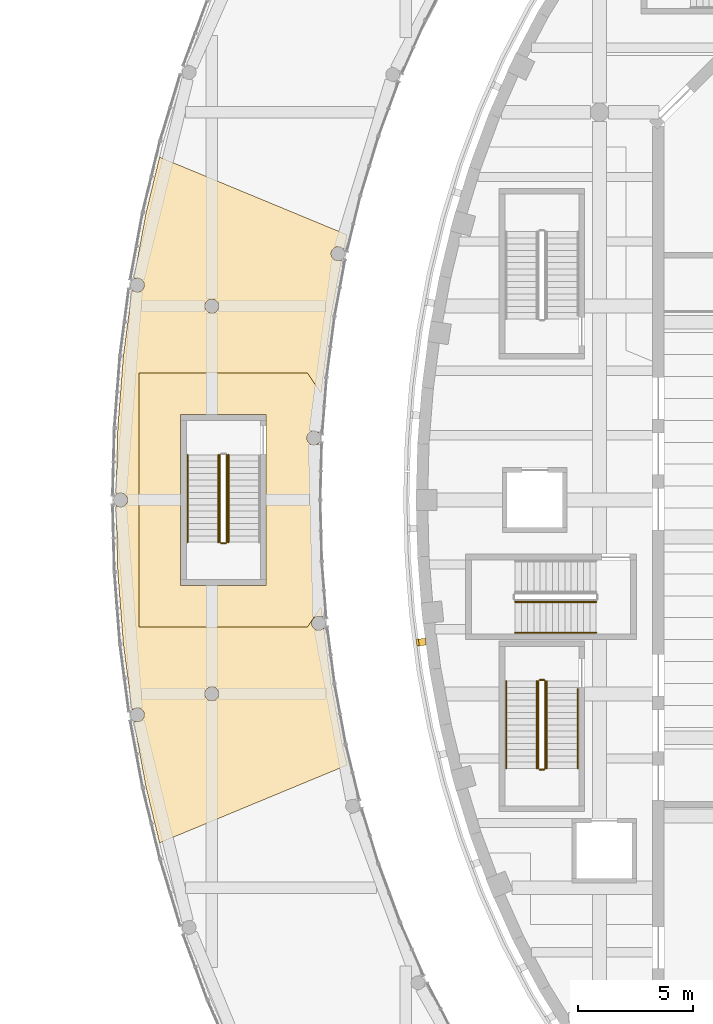
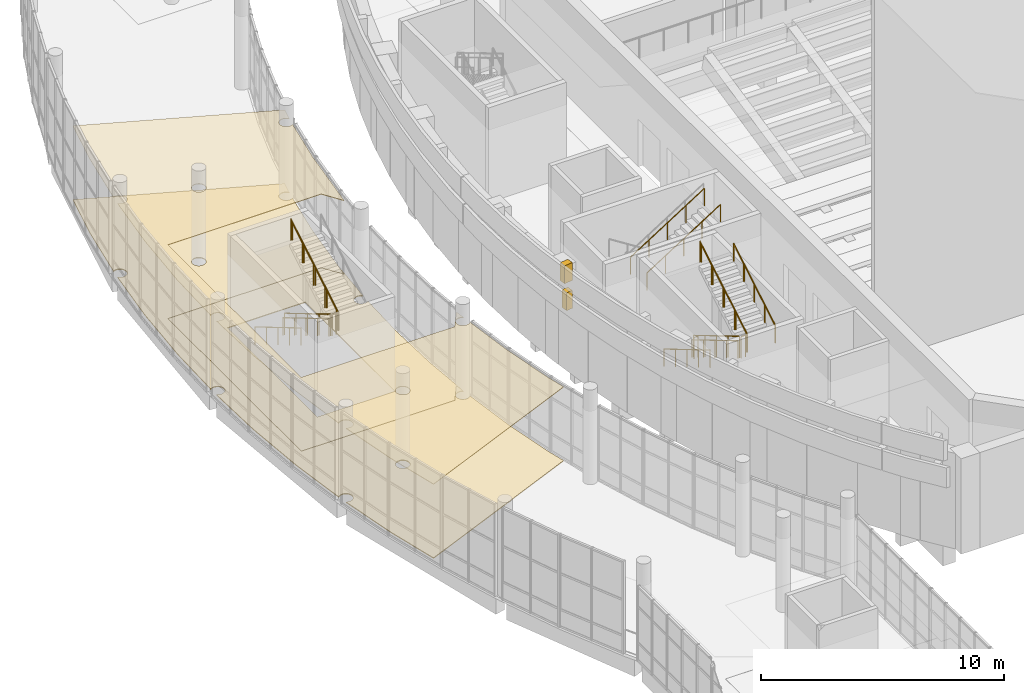
# One storey, part 99 of 119: 16 railings, 5 coverings.
"""IFC4 building model written with IfcOpenShell, lengths in metres."""

from ifc_helpers import new_model, si_unit, direction, frame, origin, origin_2d, place, context, subcontext, project, spatial, polyline, rectangle, circle, outline, extrude, material, layer, layer_set, type_object, element, save


model = new_model("IFC4")

# Units and contexts
model_context = context("Model", 3, precision=1e-05, world=origin(), true_north=direction((0.0, 1.0)))
body_context = subcontext(model_context, "Body", "Model", "MODEL_VIEW")
ifc_project = project(units=[si_unit("LENGTHUNIT", "METRE"), si_unit("AREAUNIT", "SQUARE_METRE"), si_unit("VOLUMEUNIT", "CUBIC_METRE"), si_unit("PLANEANGLEUNIT", "RADIAN"), si_unit("MASSUNIT", "GRAM", prefix="KILO")], contexts=[model_context])

# Site, building, storey
site_placement = place(None, origin())
site = spatial("IfcSite", under=ifc_project, at=site_placement, CompositionType="ELEMENT")
building_placement = place(site_placement, origin())
building = spatial("IfcBuilding", under=site, at=building_placement, Name="Larchfold Concert Hall", CompositionType="ELEMENT")
storey_placement = place(building_placement, frame((0.0, 0.0, 4.800048828125)))
storey = spatial("IfcBuildingStorey", under=building, at=storey_placement, Name="L01", CompositionType="ELEMENT", Elevation=4.800048828125)

# Coverings
ifc_material_1 = material(Name="Plasterboard ceiling lining")
ifc_layer_1 = layer(ifc_material_1, 0.030029296875)
ifc_layer_set_1 = layer_set([ifc_layer_1], Name="Plasterboard ceiling lining")
covering_type_1 = type_object("IfcCoveringType", Name="Ceiling suspended plasterboard 30", PredefinedType="CEILING", material=ifc_layer_set_1)
covering_1_placement = place(storey_placement, frame((0.0, 0.0, 3.719970703125)))
element("IfcCovering", 1, at=covering_1_placement, inside=storey, type_object=covering_type_1, Name="Ceiling Winter Garden Foyer West", PredefinedType="CEILING", context=body_context, shape_type="SweptSolid", body=[
    extrude(outline(polyline([(5.168212890625, 78.366455078125), (5.54541015625, 75.484619140625), (5.59033203125, 75.528076171875), (5.623046875, 75.5498046875), (5.6953125, 75.579833984375), (5.77294921875, 75.590087890625), (5.8505859375, 75.579833984375), (5.9228515625, 75.5498046875), (5.985107421875, 75.502197265625), (6.03271484375, 75.43994140625), (6.050048828125, 75.40478515625), (6.0703125, 75.3291015625), (6.072998046875, 75.2900390625), (6.062744140625, 75.21240234375), (6.03271484375, 75.14013671875), (5.985107421875, 75.077880859375), (5.9228515625, 75.0302734375), (5.8505859375, 75.000244140625), (5.77294921875, 74.989990234375), (5.6953125, 75.000244140625), (5.616455078125, 75.03466796875), (6.1494140625, 72.16064453125), (6.736572265625, 69.742919921875), (14.870849609375, 73.1142578125), (14.66015625, 73.9814453125), (14.17138671875, 76.616455078125), (13.85205078125, 79.06201171875), (13.8076171875, 79.01904296875), (13.77490234375, 78.997314453125), (13.70263671875, 78.96728515625), (13.625, 78.95703125), (13.54736328125, 78.96728515625), (13.47509765625, 78.997314453125), (13.4423828125, 79.01904296875), (13.386962890625, 79.074462890625), (13.347900390625, 79.142333984375), (13.32763671875, 79.218017578125), (13.324951171875, 79.257080078125), (13.335205078125, 79.334716796875), (13.365234375, 79.406982421875), (13.412841796875, 79.46923828125), (13.47509765625, 79.516845703125), (13.54736328125, 79.546875), (13.625, 79.55712890625), (13.70263671875, 79.546875), (13.73974609375, 79.5341796875), (13.79443359375, 79.50390625), (13.732177734375, 79.980712890625), (13.14111328125, 79.099853515625), (5.8505859375, 79.10595703125), (5.8505859375, 90.093994140625), (13.14111328125, 90.10009765625), (13.732177734375, 89.219482421875), (14.17138671875, 92.583740234375), (14.6220703125, 95.013671875), (14.544677734375, 94.980224609375), (14.467041015625, 94.969970703125), (14.389404296875, 94.980224609375), (14.317138671875, 95.01025390625), (14.2548828125, 95.057861328125), (14.207275390625, 95.1201171875), (14.17724609375, 95.1923828125), (14.1669921875, 95.27001953125), (14.169677734375, 95.30908203125), (14.18994140625, 95.384765625), (14.22900390625, 95.45263671875), (14.284423828125, 95.508056640625), (14.317138671875, 95.52978515625), (14.389404296875, 95.559814453125), (14.427978515625, 95.5673828125), (14.506103515625, 95.5673828125), (14.581787109375, 95.547119140625), (14.649658203125, 95.508056640625), (14.7138671875, 95.439453125), (14.870849609375, 96.0859375), (6.736083984375, 99.455322265625), (6.1494140625, 97.03955078125), (5.616455078125, 94.16650390625), (5.6953125, 94.20068359375), (5.77294921875, 94.2109375), (5.8505859375, 94.20068359375), (5.9228515625, 94.170654296875), (5.95556640625, 94.14892578125), (6.010986328125, 94.093505859375), (6.050048828125, 94.025634765625), (6.062744140625, 93.988525390625), (6.072998046875, 93.910888671875), (6.062744140625, 93.833251953125), (6.03271484375, 93.760986328125), (5.985107421875, 93.69873046875), (5.9228515625, 93.651123046875), (5.8505859375, 93.62109375), (5.77294921875, 93.61083984375), (5.6953125, 93.62109375), (5.623046875, 93.651123046875), (5.59033203125, 93.6728515625), (5.54541015625, 93.71630859375), (5.168212890625, 90.833740234375), (4.92626953125, 87.71826171875), (4.8515625, 84.827880859375), (4.93115234375, 84.877197265625), (5.0068359375, 84.8974609375), (5.0849609375, 84.8974609375), (5.16064453125, 84.877197265625), (5.19580078125, 84.85986328125), (5.258056640625, 84.812255859375), (5.3056640625, 84.75), (5.335693359375, 84.677734375), (5.345947265625, 84.60009765625), (5.335693359375, 84.5224609375), (5.3056640625, 84.4501953125), (5.258056640625, 84.387939453125), (5.228515625, 84.362060546875), (5.16064453125, 84.322998046875), (5.0849609375, 84.302734375), (5.0068359375, 84.302734375), (4.93115234375, 84.322998046875), (4.8515625, 84.372314453125), (4.92626953125, 81.48193359375), (5.168212890625, 78.366455078125)]), holes=[polyline([(8.8173828125, 92.761962890625), (8.761962890625, 92.8173828125), (8.740234375, 92.85009765625), (8.710205078125, 92.92236328125), (8.70263671875, 92.9609375), (8.699951171875, 93.0), (8.710205078125, 93.07763671875), (8.740234375, 93.14990234375), (8.761962890625, 93.1826171875), (8.8173828125, 93.238037109375), (8.85009765625, 93.259765625), (8.92236328125, 93.289794921875), (8.9609375, 93.29736328125), (9.0390625, 93.29736328125), (9.07763671875, 93.289794921875), (9.14990234375, 93.259765625), (9.1826171875, 93.238037109375), (9.238037109375, 93.1826171875), (9.259765625, 93.14990234375), (9.289794921875, 93.07763671875), (9.29736328125, 93.0390625), (9.300048828125, 93.0), (9.289794921875, 92.92236328125), (9.259765625, 92.85009765625), (9.238037109375, 92.8173828125), (9.1826171875, 92.761962890625), (9.14990234375, 92.740234375), (9.07763671875, 92.710205078125), (9.0390625, 92.70263671875), (8.9609375, 92.70263671875), (8.92236328125, 92.710205078125), (8.85009765625, 92.740234375), (8.8173828125, 92.761962890625)]), polyline([(8.85009765625, 75.940185546875), (8.8173828125, 75.9619140625), (8.761962890625, 76.017333984375), (8.740234375, 76.050048828125), (8.710205078125, 76.122314453125), (8.699951171875, 76.199951171875), (8.70263671875, 76.239013671875), (8.710205078125, 76.277587890625), (8.740234375, 76.349853515625), (8.761962890625, 76.382568359375), (8.8173828125, 76.43798828125), (8.85009765625, 76.459716796875), (8.92236328125, 76.48974609375), (8.9609375, 76.497314453125), (9.0390625, 76.497314453125), (9.07763671875, 76.48974609375), (9.14990234375, 76.459716796875), (9.1826171875, 76.43798828125), (9.238037109375, 76.382568359375), (9.259765625, 76.349853515625), (9.289794921875, 76.277587890625), (9.300048828125, 76.199951171875), (9.29736328125, 76.160888671875), (9.289794921875, 76.122314453125), (9.259765625, 76.050048828125), (9.238037109375, 76.017333984375), (9.1826171875, 75.9619140625), (9.14990234375, 75.940185546875), (9.07763671875, 75.91015625), (9.0390625, 75.902587890625), (8.9609375, 75.902587890625), (8.92236328125, 75.91015625), (8.85009765625, 75.940185546875)])]), origin(), (0.0, 0.0, 1.0), 0.030029296875),
])
ifc_material_2 = material(Name="Polished terrazzo")
ifc_layer_2 = layer(ifc_material_2, 0.0400390625)
ifc_layer_set_2 = layer_set([ifc_layer_2], Name="Polished terrazzo")
covering_type_2 = type_object("IfcCoveringType", Name="Floor finish terrazzo 40", PredefinedType="FLOORING", material=ifc_layer_set_2)
covering_2_placement = place(storey_placement, origin())
element("IfcCovering", 2, at=covering_2_placement, inside=storey, type_object=covering_type_2, Name="Floor finish Winter Garden Foyer West", PredefinedType="FLOORING", context=body_context, shape_type="SweptSolid", body=[
    extrude(outline(polyline([(5.168212890625, 78.366455078125), (5.54541015625, 75.484619140625), (5.59033203125, 75.528076171875), (5.623046875, 75.5498046875), (5.6953125, 75.579833984375), (5.77294921875, 75.590087890625), (5.8505859375, 75.579833984375), (5.9228515625, 75.5498046875), (5.985107421875, 75.502197265625), (6.03271484375, 75.43994140625), (6.050048828125, 75.40478515625), (6.0703125, 75.3291015625), (6.072998046875, 75.2900390625), (6.062744140625, 75.21240234375), (6.03271484375, 75.14013671875), (5.985107421875, 75.077880859375), (5.9228515625, 75.0302734375), (5.8505859375, 75.000244140625), (5.77294921875, 74.989990234375), (5.6953125, 75.000244140625), (5.616455078125, 75.03466796875), (6.1494140625, 72.16064453125), (6.736572265625, 69.742919921875), (14.870849609375, 73.1142578125), (14.66015625, 73.9814453125), (14.17138671875, 76.616455078125), (13.85205078125, 79.06201171875), (13.8076171875, 79.01904296875), (13.77490234375, 78.997314453125), (13.70263671875, 78.96728515625), (13.625, 78.95703125), (13.54736328125, 78.96728515625), (13.47509765625, 78.997314453125), (13.4423828125, 79.01904296875), (13.386962890625, 79.074462890625), (13.347900390625, 79.142333984375), (13.32763671875, 79.218017578125), (13.324951171875, 79.257080078125), (13.335205078125, 79.334716796875), (13.365234375, 79.406982421875), (13.412841796875, 79.46923828125), (13.47509765625, 79.516845703125), (13.54736328125, 79.546875), (13.625, 79.55712890625), (13.70263671875, 79.546875), (13.73974609375, 79.5341796875), (13.79443359375, 79.50390625), (13.732177734375, 79.980712890625), (13.14111328125, 79.099853515625), (5.8505859375, 79.10595703125), (5.8505859375, 90.093994140625), (13.14111328125, 90.10009765625), (13.732177734375, 89.219482421875), (14.17138671875, 92.583740234375), (14.6220703125, 95.013671875), (14.544677734375, 94.980224609375), (14.467041015625, 94.969970703125), (14.389404296875, 94.980224609375), (14.317138671875, 95.01025390625), (14.2548828125, 95.057861328125), (14.207275390625, 95.1201171875), (14.17724609375, 95.1923828125), (14.1669921875, 95.27001953125), (14.169677734375, 95.30908203125), (14.18994140625, 95.384765625), (14.22900390625, 95.45263671875), (14.284423828125, 95.508056640625), (14.317138671875, 95.52978515625), (14.389404296875, 95.559814453125), (14.427978515625, 95.5673828125), (14.506103515625, 95.5673828125), (14.581787109375, 95.547119140625), (14.649658203125, 95.508056640625), (14.7138671875, 95.439453125), (14.870849609375, 96.0859375), (6.736083984375, 99.455322265625), (6.1494140625, 97.03955078125), (5.616455078125, 94.16650390625), (5.6953125, 94.20068359375), (5.77294921875, 94.2109375), (5.8505859375, 94.20068359375), (5.9228515625, 94.170654296875), (5.95556640625, 94.14892578125), (6.010986328125, 94.093505859375), (6.050048828125, 94.025634765625), (6.062744140625, 93.988525390625), (6.072998046875, 93.910888671875), (6.062744140625, 93.833251953125), (6.03271484375, 93.760986328125), (5.985107421875, 93.69873046875), (5.9228515625, 93.651123046875), (5.8505859375, 93.62109375), (5.77294921875, 93.61083984375), (5.6953125, 93.62109375), (5.623046875, 93.651123046875), (5.59033203125, 93.6728515625), (5.54541015625, 93.71630859375), (5.168212890625, 90.833740234375), (4.92626953125, 87.71826171875), (4.8515625, 84.827880859375), (4.93115234375, 84.877197265625), (5.0068359375, 84.8974609375), (5.0849609375, 84.8974609375), (5.16064453125, 84.877197265625), (5.19580078125, 84.85986328125), (5.258056640625, 84.812255859375), (5.3056640625, 84.75), (5.335693359375, 84.677734375), (5.345947265625, 84.60009765625), (5.335693359375, 84.5224609375), (5.3056640625, 84.4501953125), (5.258056640625, 84.387939453125), (5.228515625, 84.362060546875), (5.16064453125, 84.322998046875), (5.0849609375, 84.302734375), (5.0068359375, 84.302734375), (4.93115234375, 84.322998046875), (4.8515625, 84.372314453125), (4.92626953125, 81.48193359375), (5.168212890625, 78.366455078125)]), holes=[polyline([(8.8173828125, 92.761962890625), (8.761962890625, 92.8173828125), (8.740234375, 92.85009765625), (8.710205078125, 92.92236328125), (8.70263671875, 92.9609375), (8.699951171875, 93.0), (8.710205078125, 93.07763671875), (8.740234375, 93.14990234375), (8.761962890625, 93.1826171875), (8.8173828125, 93.238037109375), (8.85009765625, 93.259765625), (8.92236328125, 93.289794921875), (8.9609375, 93.29736328125), (9.0390625, 93.29736328125), (9.07763671875, 93.289794921875), (9.14990234375, 93.259765625), (9.1826171875, 93.238037109375), (9.238037109375, 93.1826171875), (9.259765625, 93.14990234375), (9.289794921875, 93.07763671875), (9.29736328125, 93.0390625), (9.300048828125, 93.0), (9.289794921875, 92.92236328125), (9.259765625, 92.85009765625), (9.238037109375, 92.8173828125), (9.1826171875, 92.761962890625), (9.14990234375, 92.740234375), (9.07763671875, 92.710205078125), (9.0390625, 92.70263671875), (8.9609375, 92.70263671875), (8.92236328125, 92.710205078125), (8.85009765625, 92.740234375), (8.8173828125, 92.761962890625)]), polyline([(8.85009765625, 75.940185546875), (8.8173828125, 75.9619140625), (8.761962890625, 76.017333984375), (8.740234375, 76.050048828125), (8.710205078125, 76.122314453125), (8.699951171875, 76.199951171875), (8.70263671875, 76.239013671875), (8.710205078125, 76.277587890625), (8.740234375, 76.349853515625), (8.761962890625, 76.382568359375), (8.8173828125, 76.43798828125), (8.85009765625, 76.459716796875), (8.92236328125, 76.48974609375), (8.9609375, 76.497314453125), (9.0390625, 76.497314453125), (9.07763671875, 76.48974609375), (9.14990234375, 76.459716796875), (9.1826171875, 76.43798828125), (9.238037109375, 76.382568359375), (9.259765625, 76.349853515625), (9.289794921875, 76.277587890625), (9.300048828125, 76.199951171875), (9.29736328125, 76.160888671875), (9.289794921875, 76.122314453125), (9.259765625, 76.050048828125), (9.238037109375, 76.017333984375), (9.1826171875, 75.9619140625), (9.14990234375, 75.940185546875), (9.07763671875, 75.91015625), (9.0390625, 75.902587890625), (8.9609375, 75.902587890625), (8.92236328125, 75.91015625), (8.85009765625, 75.940185546875)])]), origin(), (0.0, 0.0, 1.0), 0.0400390625),
])
covering_3_placement = place(storey_placement, origin())
element("IfcCovering", 3, at=covering_3_placement, inside=storey, type_object=covering_type_2, Name="Floor finish Foyer 06", PredefinedType="FLOORING", context=body_context, shape_type="SweptSolid", body=[
    extrude(outline(polyline([(13.149169921875, 90.09912109375), (5.850830078125, 90.09912109375), (5.850830078125, 79.100830078125), (13.149169921875, 79.100830078125), (13.732177734375, 79.980712890625), (13.77685546875, 79.66796875), (13.79345703125, 79.669677734375), (13.617431640625, 81.93115234375), (13.548583984375, 84.60009765625), (13.612060546875, 87.06005859375), (13.53271484375, 87.010986328125), (13.45703125, 86.99072265625), (13.37890625, 86.99072265625), (13.30322265625, 87.010986328125), (13.2353515625, 87.050048828125), (13.179931640625, 87.10546875), (13.158203125, 87.13818359375), (13.128173828125, 87.21044921875), (13.117919921875, 87.2880859375), (13.128173828125, 87.36572265625), (13.158203125, 87.43798828125), (13.179931640625, 87.470703125), (13.2353515625, 87.526123046875), (13.30322265625, 87.565185546875), (13.37890625, 87.58544921875), (13.45703125, 87.58544921875), (13.49560546875, 87.577880859375), (13.56787109375, 87.5478515625), (13.635009765625, 87.49462890625), (13.79345703125, 89.5302734375), (13.77685546875, 89.5322265625), (13.732177734375, 89.219482421875), (13.149169921875, 90.09912109375)]), holes=[polyline([(7.64990234375, 88.300048828125), (11.35009765625, 88.300048828125), (11.35009765625, 80.89990234375), (7.64990234375, 80.89990234375), (7.64990234375, 88.300048828125)])]), origin(), (0.0, 0.0, 1.0), 0.0400390625),
])
ifc_material_3 = material(Name="Galvanised steel bracket", Category="steel")
ifc_layer_3 = layer(ifc_material_3, 0.300048828125)
ifc_layer_set_3 = layer_set([ifc_layer_3], Name="Galvanised steel bracket")
covering_type_3 = type_object("IfcCoveringType", Name="Ring support bracket", PredefinedType="CLADDING", material=ifc_layer_set_3)
covering_4_placement = place(storey_placement, frame((18.117919921875, 78.44384765625, 3.35009765625), z_axis=(0.0, 0.0, 1.0), x_axis=(-0.991449907596, -0.130487856632, 0.0)))
element("IfcCovering", 4, at=covering_4_placement, inside=storey, type_object=covering_type_3, Name="Ring bracket BR-R01-21", PredefinedType="CLADDING", context=body_context, shape_type="SweptSolid", body=[
    extrude(rectangle(XDim=0.300048828125, YDim=0.300048828125, at=origin_2d()), origin(), (0.0, 0.0, 1.0), 0.89990234375),
])
covering_5_placement = place(storey_placement, frame((18.068359375, 78.4375, 4.75), z_axis=(0.0, 0.0, 1.0), x_axis=(-0.991449907596, -0.130487856632, 0.0)))
element("IfcCovering", 5, at=covering_5_placement, inside=storey, type_object=covering_type_3, Name="Ring bracket BR-R02-21", PredefinedType="CLADDING", context=body_context, shape_type="SweptSolid", body=[
    extrude(rectangle(XDim=0.39990234375, YDim=0.300048828125, at=origin_2d()), origin(), (0.0, 0.0, 1.0), 0.89990234375),
])

# Railings
ifc_material_4 = material(Name="Stainless steel balustrade", Category="steel")
railing_type_1 = type_object("IfcRailingType", Name="Stair guard 1100", PredefinedType="GUARDRAIL", material=ifc_material_4)
railing_1_placement = place(storey_placement, frame((23.14990234375, 76.75, 0.159912109375)))
element("IfcRailing", 6, at=railing_1_placement, inside=storey, type_object=railing_type_1, Name="Guard GR0019", PredefinedType="GUARDRAIL", context=body_context, shape_type="SweptSolid", body=[
    extrude(circle(Radius=0.02392578125, at=origin_2d()), frame((0.0, 0.0, 1.076171875), z_axis=(0.0, -0.860294241299, 0.509797821089), x_axis=(1.0, 0.0, 0.0)), (0.0, 0.0, 1.0), 4.393798828125),
    extrude(circle(Radius=0.02099609375, at=origin_2d()), origin(), (0.0, 0.0, 1.0), 1.052001953125),
    extrude(circle(Radius=0.02099609375, at=origin_2d()), frame((0.0, -0.945068359375, 0.56005859375)), (0.0, 0.0, 1.0), 1.052001953125),
    extrude(circle(Radius=0.02099609375, at=origin_2d()), frame((0.0, -1.89013671875, 1.1201171875)), (0.0, 0.0, 1.0), 1.052001953125),
    extrude(circle(Radius=0.02099609375, at=origin_2d()), frame((0.0, -2.8349609375, 1.679931640625)), (0.0, 0.0, 1.0), 1.052001953125),
    extrude(circle(Radius=0.02099609375, at=origin_2d()), frame((0.0, -3.780029296875, 2.239990234375)), (0.0, 0.0, 1.0), 1.052001953125),
])
railing_2_placement = place(storey_placement, frame((23.199951171875, 72.919921875, 2.39990234375)))
element("IfcRailing", 7, at=railing_2_placement, inside=storey, type_object=railing_type_1, Name="Guard GR0020", PredefinedType="GUARDRAIL", context=body_context, shape_type="SweptSolid", body=[
    extrude(circle(Radius=0.02392578125, at=origin_2d()), frame((0.0, 0.0, 1.076171875), z_axis=(1.0, 0.0, 0.0), x_axis=(0.0, 1.0, 0.0)), (0.0, 0.0, 1.0), 0.199951171875),
    extrude(circle(Radius=0.02099609375, at=origin_2d()), origin(), (0.0, 0.0, 1.0), 1.052001953125),
    extrude(circle(Radius=0.02099609375, at=origin_2d()), frame((0.199951171875, 0.0, 0.0)), (0.0, 0.0, 1.0), 1.052001953125),
])
railing_3_placement = place(storey_placement, frame((23.449951171875, 72.969970703125, 2.56005859375)))
element("IfcRailing", 8, at=railing_3_placement, inside=storey, type_object=railing_type_1, Name="Guard GR0021", PredefinedType="GUARDRAIL", context=body_context, shape_type="SweptSolid", body=[
    extrude(circle(Radius=0.02392578125, at=origin_2d()), frame((0.0, 0.0, 1.076171875), z_axis=(0.0, 0.860294241299, 0.509797821089), x_axis=(-1.0, 0.0, 0.0)), (0.0, 0.0, 1.0), 4.393798828125),
    extrude(circle(Radius=0.02099609375, at=origin_2d()), origin(), (0.0, 0.0, 1.0), 1.052001953125),
    extrude(circle(Radius=0.02099609375, at=origin_2d()), frame((0.0, 0.945068359375, 0.56005859375)), (0.0, 0.0, 1.0), 1.052001953125),
    extrude(circle(Radius=0.02099609375, at=origin_2d()), frame((0.0, 1.89013671875, 1.1201171875)), (0.0, 0.0, 1.0), 1.052001953125),
    extrude(circle(Radius=0.02099609375, at=origin_2d()), frame((0.0, 2.8349609375, 1.679931640625)), (0.0, 0.0, 1.0), 1.052001953125),
    extrude(circle(Radius=0.02099609375, at=origin_2d()), frame((0.0, 3.780029296875, 2.239990234375)), (0.0, 0.0, 1.0), 1.052001953125),
])
railing_4_placement = place(storey_placement, frame((23.199951171875, 76.800048828125, 0.0)))
element("IfcRailing", 9, at=railing_4_placement, inside=storey, type_object=railing_type_1, Name="Guard GR0022", PredefinedType="GUARDRAIL", context=body_context, shape_type="SweptSolid", body=[
    extrude(circle(Radius=0.02392578125, at=origin_2d()), frame((0.0, 0.0, 1.076171875), z_axis=(1.0, 0.0, 0.0), x_axis=(0.0, 1.0, 0.0)), (0.0, 0.0, 1.0), 0.199951171875),
    extrude(circle(Radius=0.02099609375, at=origin_2d()), origin(), (0.0, 0.0, 1.0), 1.052001953125),
    extrude(circle(Radius=0.02099609375, at=origin_2d()), frame((0.199951171875, 0.0, 0.0)), (0.0, 0.0, 1.0), 1.052001953125),
])
railing_5_placement = place(storey_placement, frame((9.349853515625, 86.550048828125, 0.159912109375)))
element("IfcRailing", 10, at=railing_5_placement, inside=storey, type_object=railing_type_1, Name="Guard GR0089", PredefinedType="GUARDRAIL", context=body_context, shape_type="SweptSolid", body=[
    extrude(circle(Radius=0.02392578125, at=origin_2d()), frame((0.0, 0.0, 1.076171875), z_axis=(0.0, -0.860294241299, 0.509797821089), x_axis=(1.0, 0.0, 0.0)), (0.0, 0.0, 1.0), 4.393798828125),
    extrude(circle(Radius=0.02099609375, at=origin_2d()), origin(), (0.0, 0.0, 1.0), 1.052001953125),
    extrude(circle(Radius=0.02099609375, at=origin_2d()), frame((0.0, -0.945068359375, 0.56005859375)), (0.0, 0.0, 1.0), 1.052001953125),
    extrude(circle(Radius=0.02099609375, at=origin_2d()), frame((0.0, -1.89013671875, 1.1201171875)), (0.0, 0.0, 1.0), 1.052001953125),
    extrude(circle(Radius=0.02099609375, at=origin_2d()), frame((0.0, -2.8349609375, 1.679931640625)), (0.0, 0.0, 1.0), 1.052001953125),
    extrude(circle(Radius=0.02099609375, at=origin_2d()), frame((0.0, -3.780029296875, 2.239990234375)), (0.0, 0.0, 1.0), 1.052001953125),
])
railing_6_placement = place(storey_placement, frame((9.39990234375, 82.719970703125, 2.39990234375)))
element("IfcRailing", 11, at=railing_6_placement, inside=storey, type_object=railing_type_1, Name="Guard GR0090", PredefinedType="GUARDRAIL", context=body_context, shape_type="SweptSolid", body=[
    extrude(circle(Radius=0.02392578125, at=origin_2d()), frame((0.0, 0.0, 1.076171875), z_axis=(1.0, 0.0, 0.0), x_axis=(0.0, 1.0, 0.0)), (0.0, 0.0, 1.0), 0.199951171875),
    extrude(circle(Radius=0.02099609375, at=origin_2d()), origin(), (0.0, 0.0, 1.0), 1.052001953125),
    extrude(circle(Radius=0.02099609375, at=origin_2d()), frame((0.199951171875, 0.0, 0.0)), (0.0, 0.0, 1.0), 1.052001953125),
])
railing_7_placement = place(storey_placement, frame((9.64990234375, 82.77001953125, 2.56005859375)))
element("IfcRailing", 12, at=railing_7_placement, inside=storey, type_object=railing_type_1, Name="Guard GR0091", PredefinedType="GUARDRAIL", context=body_context, shape_type="SweptSolid", body=[
    extrude(circle(Radius=0.02392578125, at=origin_2d()), frame((0.0, 0.0, 1.076171875), z_axis=(0.0, 0.860294241299, 0.509797821089), x_axis=(-1.0, 0.0, 0.0)), (0.0, 0.0, 1.0), 4.393798828125),
    extrude(circle(Radius=0.02099609375, at=origin_2d()), origin(), (0.0, 0.0, 1.0), 1.052001953125),
    extrude(circle(Radius=0.02099609375, at=origin_2d()), frame((0.0, 0.945068359375, 0.56005859375)), (0.0, 0.0, 1.0), 1.052001953125),
    extrude(circle(Radius=0.02099609375, at=origin_2d()), frame((0.0, 1.89013671875, 1.1201171875)), (0.0, 0.0, 1.0), 1.052001953125),
    extrude(circle(Radius=0.02099609375, at=origin_2d()), frame((0.0, 2.8349609375, 1.679931640625)), (0.0, 0.0, 1.0), 1.052001953125),
    extrude(circle(Radius=0.02099609375, at=origin_2d()), frame((0.0, 3.780029296875, 2.239990234375)), (0.0, 0.0, 1.0), 1.052001953125),
])
ifc_material_5 = material(Name="Stainless steel handrail", Category="steel")
railing_type_2 = type_object("IfcRailingType", Name="Stair handrail 900", PredefinedType="HANDRAIL", material=ifc_material_5)
railing_8_placement = place(storey_placement, frame((21.75, 76.75, 0.159912109375)))
element("IfcRailing", 13, at=railing_8_placement, inside=storey, type_object=railing_type_2, Name="Handrail HR0017", PredefinedType="HANDRAIL", context=body_context, shape_type="SweptSolid", body=[
    extrude(circle(Radius=0.02392578125, at=origin_2d()), frame((0.0, 0.0, 0.8759765625), z_axis=(0.0, -0.860294241299, 0.509797821089), x_axis=(1.0, 0.0, 0.0)), (0.0, 0.0, 1.0), 4.393798828125),
    extrude(circle(Radius=0.02099609375, at=origin_2d()), origin(), (0.0, 0.0, 1.0), 0.851806640625),
    extrude(circle(Radius=0.02099609375, at=origin_2d()), frame((0.0, -0.945068359375, 0.56005859375)), (0.0, 0.0, 1.0), 0.851806640625),
    extrude(circle(Radius=0.02099609375, at=origin_2d()), frame((0.0, -1.89013671875, 1.1201171875)), (0.0, 0.0, 1.0), 0.851806640625),
    extrude(circle(Radius=0.02099609375, at=origin_2d()), frame((0.0, -2.8349609375, 1.679931640625)), (0.0, 0.0, 1.0), 0.851806640625),
    extrude(circle(Radius=0.02099609375, at=origin_2d()), frame((0.0, -3.780029296875, 2.239990234375)), (0.0, 0.0, 1.0), 0.851806640625),
])
railing_9_placement = place(storey_placement, frame((24.85009765625, 72.969970703125, 2.56005859375)))
element("IfcRailing", 14, at=railing_9_placement, inside=storey, type_object=railing_type_2, Name="Handrail HR0018", PredefinedType="HANDRAIL", context=body_context, shape_type="SweptSolid", body=[
    extrude(circle(Radius=0.02392578125, at=origin_2d()), frame((0.0, 0.0, 0.8759765625), z_axis=(0.0, 0.860300485727, 0.509787283342), x_axis=(-1.0, 0.0, 0.0)), (0.0, 0.0, 1.0), 3.98681640625),
    extrude(circle(Radius=0.02099609375, at=origin_2d()), origin(), (0.0, 0.0, 1.0), 0.851806640625),
    extrude(circle(Radius=0.02099609375, at=origin_2d()), frame((0.0, 0.857421875, 0.508056640625)), (0.0, 0.0, 1.0), 0.851806640625),
    extrude(circle(Radius=0.02099609375, at=origin_2d()), frame((0.0, 1.71484375, 1.01611328125)), (0.0, 0.0, 1.0), 0.851806640625),
    extrude(circle(Radius=0.02099609375, at=origin_2d()), frame((0.0, 2.572509765625, 1.5244140625)), (0.0, 0.0, 1.0), 0.851806640625),
    extrude(circle(Radius=0.02099609375, at=origin_2d()), frame((0.0, 3.429931640625, 2.032470703125)), (0.0, 0.0, 1.0), 0.851806640625),
])
railing_10_placement = place(storey_placement, frame((23.079833984375, 76.75, 0.159912109375)))
element("IfcRailing", 15, at=railing_10_placement, inside=storey, type_object=railing_type_2, Name="Handrail HR0019", PredefinedType="HANDRAIL", context=body_context, shape_type="SweptSolid", body=[
    extrude(circle(Radius=0.02392578125, at=origin_2d()), frame((0.0, 0.0, 0.8759765625), z_axis=(0.0, -0.860294241299, 0.509797821089), x_axis=(1.0, 0.0, 0.0)), (0.0, 0.0, 1.0), 4.393798828125),
    extrude(circle(Radius=0.02099609375, at=origin_2d()), origin(), (0.0, 0.0, 1.0), 0.851806640625),
    extrude(circle(Radius=0.02099609375, at=origin_2d()), frame((0.0, -0.945068359375, 0.56005859375)), (0.0, 0.0, 1.0), 0.851806640625),
    extrude(circle(Radius=0.02099609375, at=origin_2d()), frame((0.0, -1.89013671875, 1.1201171875)), (0.0, 0.0, 1.0), 0.851806640625),
    extrude(circle(Radius=0.02099609375, at=origin_2d()), frame((0.0, -2.8349609375, 1.679931640625)), (0.0, 0.0, 1.0), 0.851806640625),
    extrude(circle(Radius=0.02099609375, at=origin_2d()), frame((0.0, -3.780029296875, 2.239990234375)), (0.0, 0.0, 1.0), 0.851806640625),
])
railing_11_placement = place(storey_placement, frame((23.52001953125, 72.969970703125, 2.56005859375)))
element("IfcRailing", 16, at=railing_11_placement, inside=storey, type_object=railing_type_2, Name="Handrail HR0020", PredefinedType="HANDRAIL", context=body_context, shape_type="SweptSolid", body=[
    extrude(circle(Radius=0.02392578125, at=origin_2d()), frame((0.0, 0.0, 0.8759765625), z_axis=(0.0, 0.860294241299, 0.509797821089), x_axis=(-1.0, 0.0, 0.0)), (0.0, 0.0, 1.0), 4.393798828125),
    extrude(circle(Radius=0.02099609375, at=origin_2d()), origin(), (0.0, 0.0, 1.0), 0.851806640625),
    extrude(circle(Radius=0.02099609375, at=origin_2d()), frame((0.0, 0.945068359375, 0.56005859375)), (0.0, 0.0, 1.0), 0.851806640625),
    extrude(circle(Radius=0.02099609375, at=origin_2d()), frame((0.0, 1.89013671875, 1.1201171875)), (0.0, 0.0, 1.0), 0.851806640625),
    extrude(circle(Radius=0.02099609375, at=origin_2d()), frame((0.0, 2.8349609375, 1.679931640625)), (0.0, 0.0, 1.0), 0.851806640625),
    extrude(circle(Radius=0.02099609375, at=origin_2d()), frame((0.0, 3.780029296875, 2.239990234375)), (0.0, 0.0, 1.0), 0.851806640625),
])
for number, where, name in (
    (17, (22.139892578125, 78.85009765625, 2.5712890625), "Handrail HR0026"),
    (18, (22.139892578125, 80.179931640625, 2.5712890625), "Handrail HR0028"),
):
    element("IfcRailing", number, at=place(storey_placement, frame(where)), inside=storey, type_object=railing_type_2, Name=name, PredefinedType="HANDRAIL", context=body_context, shape_type="SweptSolid", body=[
        extrude(circle(Radius=0.02392578125, at=origin_2d()), frame((0.0, 0.0, 0.8759765625), z_axis=(0.844192992368, 0.0, 0.536039356425), x_axis=(0.0, 1.0, 0.0)), (0.0, 0.0, 1.0), 4.15771484375),
        extrude(circle(Radius=0.02099609375, at=origin_2d()), origin(), (0.0, 0.0, 1.0), 0.851806640625),
        extrude(circle(Radius=0.02099609375, at=origin_2d()), frame((0.87744140625, 0.0, 0.55712890625)), (0.0, 0.0, 1.0), 0.851806640625),
        extrude(circle(Radius=0.02099609375, at=origin_2d()), frame((1.7548828125, 0.0, 1.1142578125)), (0.0, 0.0, 1.0), 0.851806640625),
        extrude(circle(Radius=0.02099609375, at=origin_2d()), frame((2.632568359375, 0.0, 1.671630859375)), (0.0, 0.0, 1.0), 0.851806640625),
        extrude(circle(Radius=0.02099609375, at=origin_2d()), frame((3.510009765625, 0.0, 2.228759765625)), (0.0, 0.0, 1.0), 0.851806640625),
    ])
for number, where, name in (
    (19, (7.949951171875, 86.550048828125, 0.159912109375), "Handrail HR0085"),
    (20, (9.27978515625, 86.550048828125, 0.159912109375), "Handrail HR0087"),
):
    element("IfcRailing", number, at=place(storey_placement, frame(where)), inside=storey, type_object=railing_type_2, Name=name, PredefinedType="HANDRAIL", context=body_context, shape_type="SweptSolid", body=[
        extrude(circle(Radius=0.02392578125, at=origin_2d()), frame((0.0, 0.0, 0.8759765625), z_axis=(0.0, -0.860294241299, 0.509797821089), x_axis=(1.0, 0.0, 0.0)), (0.0, 0.0, 1.0), 4.393798828125),
        extrude(circle(Radius=0.02099609375, at=origin_2d()), origin(), (0.0, 0.0, 1.0), 0.851806640625),
        extrude(circle(Radius=0.02099609375, at=origin_2d()), frame((0.0, -0.945068359375, 0.56005859375)), (0.0, 0.0, 1.0), 0.851806640625),
        extrude(circle(Radius=0.02099609375, at=origin_2d()), frame((0.0, -1.89013671875, 1.1201171875)), (0.0, 0.0, 1.0), 0.851806640625),
        extrude(circle(Radius=0.02099609375, at=origin_2d()), frame((0.0, -2.8349609375, 1.679931640625)), (0.0, 0.0, 1.0), 0.851806640625),
        extrude(circle(Radius=0.02099609375, at=origin_2d()), frame((0.0, -3.780029296875, 2.239990234375)), (0.0, 0.0, 1.0), 0.851806640625),
    ])
railing_12_placement = place(storey_placement, frame((9.719970703125, 82.77001953125, 2.56005859375)))
element("IfcRailing", 21, at=railing_12_placement, inside=storey, type_object=railing_type_2, Name="Handrail HR0088", PredefinedType="HANDRAIL", context=body_context, shape_type="SweptSolid", body=[
    extrude(circle(Radius=0.02392578125, at=origin_2d()), frame((0.0, 0.0, 0.8759765625), z_axis=(0.0, 0.860294241299, 0.509797821089), x_axis=(-1.0, 0.0, 0.0)), (0.0, 0.0, 1.0), 4.393798828125),
    extrude(circle(Radius=0.02099609375, at=origin_2d()), origin(), (0.0, 0.0, 1.0), 0.851806640625),
    extrude(circle(Radius=0.02099609375, at=origin_2d()), frame((0.0, 0.945068359375, 0.56005859375)), (0.0, 0.0, 1.0), 0.851806640625),
    extrude(circle(Radius=0.02099609375, at=origin_2d()), frame((0.0, 1.89013671875, 1.1201171875)), (0.0, 0.0, 1.0), 0.851806640625),
    extrude(circle(Radius=0.02099609375, at=origin_2d()), frame((0.0, 2.8349609375, 1.679931640625)), (0.0, 0.0, 1.0), 0.851806640625),
    extrude(circle(Radius=0.02099609375, at=origin_2d()), frame((0.0, 3.780029296875, 2.239990234375)), (0.0, 0.0, 1.0), 0.851806640625),
])

save(model, "model.ifc")
